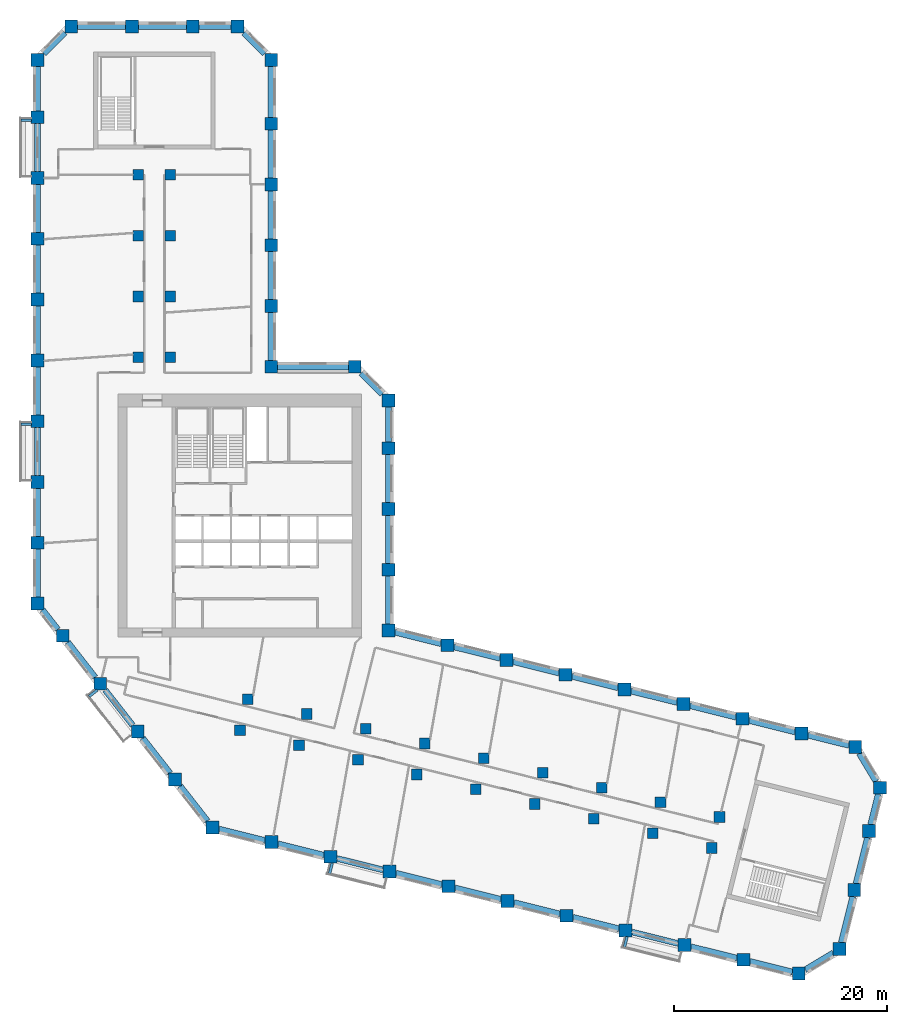
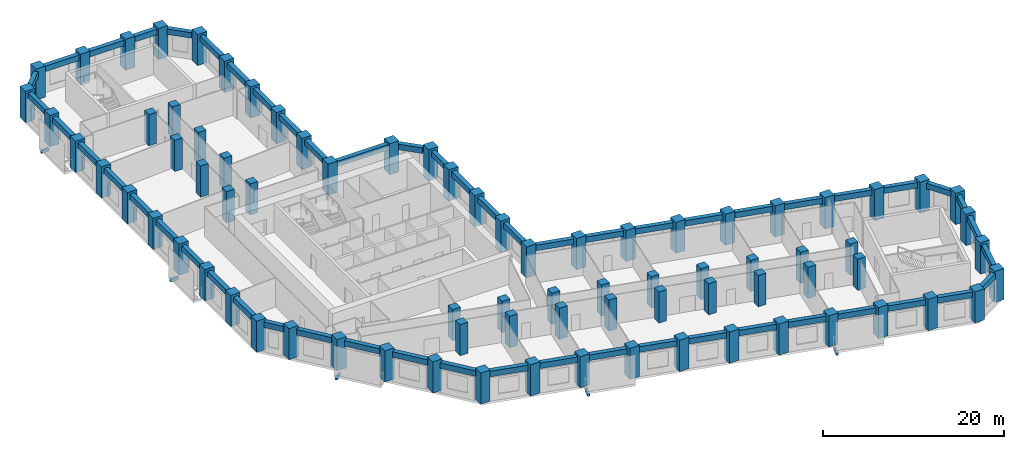
# One storey, part 1 of 10: 79 columns, 58 beams.
"""IFC4 building model written with IfcOpenShell, lengths in metres."""

from ifc_helpers import new_model, si_unit, direction, frame, origin, origin_2d, place, context, subcontext, project, spatial, rectangle, extrude, material, material_profile, profile_set, type_object, element, save


model = new_model("IFC4")

# Units and contexts
model_context = context("Model", 3, precision=1e-05, world=origin(), true_north=direction((0.0, 1.0)))
body_context = subcontext(model_context, "Body", "Model", "MODEL_VIEW")
ifc_project = project(units=[si_unit("LENGTHUNIT", "METRE"), si_unit("AREAUNIT", "SQUARE_METRE"), si_unit("VOLUMEUNIT", "CUBIC_METRE"), si_unit("PLANEANGLEUNIT", "RADIAN"), si_unit("MASSUNIT", "GRAM", prefix="KILO")], contexts=[model_context])

# Site, building, storey
site_placement = place(None, origin())
site = spatial("IfcSite", under=ifc_project, at=site_placement, CompositionType="ELEMENT")
building_placement = place(site_placement, origin())
building = spatial("IfcBuilding", under=site, at=building_placement, Name="Meshkara Civic Tower", CompositionType="ELEMENT")
storey_placement = place(building_placement, frame((0.0, 0.0, 207.60009765625)))
storey = spatial("IfcBuildingStorey", under=building, at=storey_placement, Name="L47", CompositionType="ELEMENT", Elevation=207.60009765625)

# Columns
ifc_material_1 = material(Name="Concrete C70", Category="concrete")
ifc_material_profile_1 = material_profile(ifc_material_1, rectangle(XDim=1.0, YDim=1.0, at=origin_2d()))
ifc_profile_set_1 = profile_set([ifc_material_profile_1], Name="Concrete C70")
column_type_1 = type_object("IfcColumnType", Name="Interior column RC 1000x1000 C70", PredefinedType="COLUMN", material=ifc_profile_set_1)
for number, where, z_axis, x_axis, name in (
    (1, (9.89990234375, 40.35009765625, 0.0), (0.0, 0.0, 1.0), (1.0, 0.0, 0.0), "Column SA1-04 L47"),
    (2, (9.89990234375, 46.050048828125, 0.0), (0.0, 0.0, 1.0), (1.0, 0.0, 0.0), "Column SA1-05 L47"),
    (3, (9.89990234375, 51.75, 0.0), (0.0, 0.0, 1.0), (1.0, 0.0, 0.0), "Column SA1-06 L47"),
    (4, (9.89990234375, 57.449951171875, 0.0), (0.0, 0.0, 1.0), (1.0, 0.0, 0.0), "Column SA1-07 L47"),
    (5, (12.89990234375, 40.35009765625, 0.0), (0.0, 0.0, 1.0), (1.0, 0.0, 0.0), "Column SA2-04 L47"),
    (6, (12.89990234375, 46.050048828125, 0.0), (0.0, 0.0, 1.0), (1.0, 0.0, 0.0), "Column SA2-05 L47"),
    (7, (12.89990234375, 51.75, 0.0), (0.0, 0.0, 1.0), (1.0, 0.0, 0.0), "Column SA2-06 L47"),
    (8, (12.89990234375, 57.449951171875, 0.0), (0.0, 0.0, 1.0), (1.0, 0.0, 0.0), "Column SA2-07 L47"),
    (9, (19.424072265625, 5.360107421875, 0.0), (0.0, 0.0, 1.0), (1.0, 0.0, 0.0), "Column SB1-00 L47"),
    (10, (24.9541015625, 3.98095703125, 0.0), (0.0, 0.0, 1.0), (1.0, 0.0, 0.0), "Column SB1-01 L47"),
    (11, (30.485107421875, 2.60205078125, 0.0), (0.0, 0.0, 1.0), (1.0, 0.0, 0.0), "Column SB1-02 L47"),
    (12, (36.01611328125, 1.222900390625, 0.0), (0.0, 0.0, 1.0), (1.0, 0.0, 0.0), "Column SB1-03 L47"),
    (13, (41.5458984375, -0.156005859375, 0.0), (0.0, 0.0, 1.0), (1.0, 0.0, 0.0), "Column SB1-04 L47"),
    (14, (47.076904296875, -1.534912109375, 0.0), (0.0, 0.0, 1.0), (1.0, 0.0, 0.0), "Column SB1-05 L47"),
    (15, (52.60791015625, -2.9140625, 0.0), (0.0, 0.0, 1.0), (1.0, 0.0, 0.0), "Column SB1-06 L47"),
    (16, (58.138916015625, -4.2919921875, 0.0), (0.0, 0.0, 1.0), (1.0, 0.0, 0.0), "Column SB1-07 L47"),
    (17, (63.6689453125, -5.6708984375, 0.0), (0.0, 0.0, 1.0), (1.0, 0.0, 0.0), "Column SB1-08 L47"),
    (18, (20.14892578125, 8.27099609375, 0.0), (0.0, 0.0, 1.0), (1.0, 0.0, 0.0), "Column SB2-00 L47"),
    (19, (25.679931640625, 6.89208984375, 0.0), (0.0, 0.0, 1.0), (1.0, 0.0, 0.0), "Column SB2-01 L47"),
    (20, (31.2109375, 5.512939453125, 0.0), (0.0, 0.0, 1.0), (1.0, 0.0, 0.0), "Column SB2-02 L47"),
    (21, (36.741943359375, 4.134033203125, 0.0), (0.0, 0.0, 1.0), (1.0, 0.0, 0.0), "Column SB2-03 L47"),
    (22, (42.27197265625, 2.7548828125, 0.0), (0.0, 0.0, 1.0), (1.0, 0.0, 0.0), "Column SB2-04 L47"),
    (23, (47.802978515625, 1.3759765625, 0.0), (0.0, 0.0, 1.0), (1.0, 0.0, 0.0), "Column SB2-05 L47"),
    (24, (53.333984375, -0.0029296875, 0.0), (0.0, 0.0, 1.0), (1.0, 0.0, 0.0), "Column SB2-06 L47"),
    (25, (58.864013671875, -1.382080078125, 0.0), (0.0, 0.0, 1.0), (1.0, 0.0, 0.0), "Column SB2-07 L47"),
    (26, (64.39501953125, -2.760986328125, 0.0), (0.0, 0.0, 1.0), (1.0, 0.0, 0.0), "Column SB2-08 L47"),
):
    element("IfcColumn", number, at=place(storey_placement, frame(where, z_axis=z_axis, x_axis=x_axis)), inside=storey, type_object=column_type_1, Name=name, PredefinedType="COLUMN", context=body_context, shape_type="SweptSolid", body=[
        extrude(rectangle(XDim=1.0, YDim=1.0, at=origin_2d()), origin(), (0.0, 0.0, 1.0), 4.199951171875),
    ])
ifc_material_2 = material(Name="Concrete C70", Category="concrete")
ifc_material_profile_2 = material_profile(ifc_material_2, rectangle(XDim=1.199951171875, YDim=1.199951171875, at=origin_2d()))
ifc_profile_set_2 = profile_set([ifc_material_profile_2], Name="Concrete C70")
column_type_2 = type_object("IfcColumnType", Name="Perimeter column RC 1200x1200 C70", PredefinedType="COLUMN", material=ifc_profile_set_2)
for number, where, z_axis, x_axis, name in (
    (27, (33.35009765625, 14.718994140625, 0.0), (0.0, 0.0, 1.0), (1.0, 0.0, 0.0), "Column HE00 L47"),
    (28, (33.35009765625, 20.4189453125, 0.0), (0.0, 0.0, 1.0), (1.0, 0.0, 0.0), "Column HE01 L47"),
    (29, (33.35009765625, 26.118896484375, 0.0), (0.0, 0.0, 1.0), (1.0, 0.0, 0.0), "Column HE02 L47"),
    (30, (33.35009765625, 31.819091796875, 0.0), (0.0, 0.0, 1.0), (1.0, 0.0, 0.0), "Column HE03 L47"),
    (31, (33.35009765625, 36.2939453125, 0.0), (0.0, 0.0, 1.0), (1.0, 0.0, 0.0), "Column HEE L47"),
    (32, (30.194091796875, 39.449951171875, 0.0), (0.0, 0.0, 1.0), (1.0, 0.0, 0.0), "Column HCeE L47"),
    (33, (22.35009765625, 39.449951171875, 0.0), (0.0, 0.0, 1.0), (1.0, 0.0, 0.0), "Column HN00 L47"),
    (34, (22.35009765625, 45.14990234375, 0.0), (0.0, 0.0, 1.0), (1.0, 0.0, 0.0), "Column AE01 L47"),
    (35, (22.35009765625, 50.85009765625, 0.0), (0.0, 0.0, 1.0), (1.0, 0.0, 0.0), "Column AE02 L47"),
    (36, (22.35009765625, 56.550048828125, 0.0), (0.0, 0.0, 1.0), (1.0, 0.0, 0.0), "Column AE03 L47"),
    (37, (22.35009765625, 62.25, 0.0), (0.0, 0.0, 1.0), (1.0, 0.0, 0.0), "Column AE04 L47"),
    (38, (22.35009765625, 68.214111328125, 0.0), (0.0, 0.0, 1.0), (1.0, 0.0, 0.0), "Column AEEP2 L47"),
    (39, (19.194091796875, 71.3701171875, 0.0), (0.0, 0.0, 1.0), (1.0, 0.0, 0.0), "Column ATiEP2 L47"),
    (40, (3.60595703125, 71.3701171875, 0.0), (0.0, 0.0, 1.0), (1.0, 0.0, 0.0), "Column AT00-P2 L47"),
    (41, (9.305908203125, 71.3701171875, 0.0), (0.0, 0.0, 1.0), (1.0, 0.0, 0.0), "Column AT01-P2 L47"),
    (42, (15.006103515625, 71.3701171875, 0.0), (0.0, 0.0, 1.0), (1.0, 0.0, 0.0), "Column AT02-P2 L47"),
    (43, (0.449951171875, 68.214111328125, 0.0), (0.0, 0.0, 1.0), (1.0, 0.0, 0.0), "Column ATo00-P2 L47"),
    (44, (0.449951171875, 17.2548828125, 0.0), (0.0, 0.0, 1.0), (1.0, 0.0, 0.0), "Column AW00 L47"),
    (45, (0.449951171875, 22.955078125, 0.0), (0.0, 0.0, 1.0), (1.0, 0.0, 0.0), "Column AW01 L47"),
    (46, (0.449951171875, 28.655029296875, 0.0), (0.0, 0.0, 1.0), (1.0, 0.0, 0.0), "Column AW02 L47"),
    (47, (0.449951171875, 34.35498046875, 0.0), (0.0, 0.0, 1.0), (1.0, 0.0, 0.0), "Column AW03 L47"),
    (48, (0.449951171875, 40.054931640625, 0.0), (0.0, 0.0, 1.0), (1.0, 0.0, 0.0), "Column AW04 L47"),
    (49, (0.449951171875, 45.7548828125, 0.0), (0.0, 0.0, 1.0), (1.0, 0.0, 0.0), "Column AW05 L47"),
    (50, (0.449951171875, 51.455078125, 0.0), (0.0, 0.0, 1.0), (1.0, 0.0, 0.0), "Column AW06 L47"),
    (51, (0.449951171875, 57.155029296875, 0.0), (0.0, 0.0, 1.0), (1.0, 0.0, 0.0), "Column AW07 L47"),
    (52, (0.449951171875, 62.85498046875, 0.0), (0.0, 0.0, 1.0), (1.0, 0.0, 0.0), "Column AW08 L47"),
    (53, (16.85107421875, -3.738037109375, 0.0), (0.0, 0.0, 1.0), (1.0, 0.0, 0.0), "Column BOW00 L47"),
    (54, (13.342041015625, 0.75390625, 0.0), (0.0, 0.0, 1.0), (1.0, 0.0, 0.0), "Column BOW01 L47"),
    (55, (9.8330078125, 5.2451171875, 0.0), (0.0, 0.0, 1.0), (1.0, 0.0, 0.0), "Column BOW02 L47"),
    (56, (6.322998046875, 9.737060546875, 0.0), (0.0, 0.0, 1.0), (1.0, 0.0, 0.0), "Column BOW03 L47"),
    (57, (2.81396484375, 14.22900390625, 0.0), (0.0, 0.0, 1.0), (1.0, 0.0, 0.0), "Column BOW04 L47"),
    (58, (22.382080078125, -5.116943359375, 0.0), (0.0, 0.0, 1.0), (1.0, 0.0, 0.0), "Column BS01 L47"),
    (59, (27.912109375, -6.49609375, 0.0), (0.0, 0.0, 1.0), (1.0, 0.0, 0.0), "Column BS02 L47"),
    (60, (33.443115234375, -7.875, 0.0), (0.0, 0.0, 1.0), (1.0, 0.0, 0.0), "Column BS03 L47"),
    (61, (38.97412109375, -9.2529296875, 0.0), (0.0, 0.0, 1.0), (1.0, 0.0, 0.0), "Column BS04-P1 L47"),
    (62, (44.5048828125, -10.632080078125, 0.0), (0.0, 0.0, 1.0), (1.0, 0.0, 0.0), "Column BS05 L47"),
    (63, (50.034912109375, -12.010986328125, 0.0), (0.0, 0.0, 1.0), (1.0, 0.0, 0.0), "Column BS06 L47"),
    (64, (55.56591796875, -13.389892578125, 0.0), (0.0, 0.0, 1.0), (1.0, 0.0, 0.0), "Column BS07 L47"),
    (65, (61.096923828125, -14.76904296875, 0.0), (0.0, 0.0, 1.0), (1.0, 0.0, 0.0), "Column BS08 L47"),
    (66, (66.626953125, -16.14794921875, 0.0), (0.0, 0.0, 1.0), (1.0, 0.0, 0.0), "Column BS09 L47"),
    (67, (71.826904296875, -17.444091796875, 0.0), (0.0, 0.0, 1.0), (1.0, 0.0, 0.0), "Column BSEP2 L47"),
    (68, (75.653076171875, -15.14501953125, 0.0), (0.0, 0.0, 1.0), (1.0, 0.0, 0.0), "Column BToEP2 L47"),
    (69, (77.031982421875, -9.614013671875, 0.0), (0.0, 0.0, 1.0), (1.0, 0.0, 0.0), "Column BT01-P2 L47"),
    (70, (78.410888671875, -4.083984375, 0.0), (0.0, 0.0, 1.0), (1.0, 0.0, 0.0), "Column BT02-P2 L47"),
    (71, (79.424072265625, -0.02099609375, 0.0), (0.0, 0.0, 1.0), (1.0, 0.0, 0.0), "Column BTEP2 L47"),
    (72, (77.125, 3.803955078125, 0.0), (0.0, 0.0, 1.0), (1.0, 0.0, 0.0), "Column BTi00-P2 L47"),
    (73, (38.881103515625, 13.340087890625, 0.0), (0.0, 0.0, 1.0), (1.0, 0.0, 0.0), "Column BN01 L47"),
    (74, (44.410888671875, 11.9609375, 0.0), (0.0, 0.0, 1.0), (1.0, 0.0, 0.0), "Column BN02 L47"),
    (75, (49.94189453125, 10.58203125, 0.0), (0.0, 0.0, 1.0), (1.0, 0.0, 0.0), "Column BN03 L47"),
    (76, (55.472900390625, 9.202880859375, 0.0), (0.0, 0.0, 1.0), (1.0, 0.0, 0.0), "Column BN04 L47"),
    (77, (61.0029296875, 7.823974609375, 0.0), (0.0, 0.0, 1.0), (1.0, 0.0, 0.0), "Column BN05 L47"),
    (78, (66.533935546875, 6.445068359375, 0.0), (0.0, 0.0, 1.0), (1.0, 0.0, 0.0), "Column BN06 L47"),
    (79, (72.06494140625, 5.06591796875, 0.0), (0.0, 0.0, 1.0), (1.0, 0.0, 0.0), "Column BN07 L47"),
):
    element("IfcColumn", number, at=place(storey_placement, frame(where, z_axis=z_axis, x_axis=x_axis)), inside=storey, type_object=column_type_2, Name=name, PredefinedType="COLUMN", context=body_context, shape_type="SweptSolid", body=[
        extrude(rectangle(XDim=1.199951171875, YDim=1.199951171875, at=origin_2d()), origin(), (0.0, 0.0, 1.0), 4.199951171875),
    ])

# Beams
ifc_material_3 = material(Name="Concrete C50", Category="concrete")
ifc_material_profile_3 = material_profile(ifc_material_3, rectangle(XDim=0.25, YDim=0.39990234375, at=origin_2d()))
ifc_profile_set_3 = profile_set([ifc_material_profile_3], Name="Concrete C50")
beam_type_1 = type_object("IfcBeamType", Name="Balcony bracket beam RC 250x400 C50", PredefinedType="BEAM", material=ifc_profile_set_3)
for number, where, z_axis, x_axis, name in (
    (80, (-0.14501953125, 62.554931640625, -0.5), (-1.0, 0.0, 0.0), (0.0, -1.0, 0.0), "Balcony bracket beam"),
    (81, (-0.14501953125, 34.054931640625, -0.5), (-1.0, 0.0, 0.0), (0.0, -1.0, 0.0), "Balcony bracket beam"),
):
    element("IfcBeam", number, at=place(storey_placement, frame(where, z_axis=z_axis, x_axis=x_axis)), inside=storey, type_object=beam_type_1, Name=name, PredefinedType="BEAM", context=body_context, shape_type="SweptSolid", body=[
        extrude(rectangle(XDim=0.25, YDim=0.39990234375, at=origin_2d()), origin(), (0.0, 0.0, 1.0), 0.955078125),
    ])
beam_1_placement = place(storey_placement, frame((6.0458984375, 9.139892578125, -0.5), z_axis=(-0.788039749588, -0.61562436036, 0.0), x_axis=(0.61562436036, -0.788039749588, 0.0)))
element("IfcBeam", 82, at=beam_1_placement, inside=storey, type_object=beam_type_1, Name="Balcony bracket beam", PredefinedType="BEAM", context=body_context, shape_type="SweptSolid", body=[
    extrude(rectangle(XDim=0.25, YDim=0.39990234375, at=origin_2d()), origin(), (0.0, 0.0, 1.0), 0.962890625),
])
beam_2_placement = place(storey_placement, frame((28.072998046875, -7.091064453125, -0.5), z_axis=(-0.242421996939, -0.9701709001, 0.0), x_axis=(0.9701709001, -0.242421996939, 0.0)))
element("IfcBeam", 83, at=beam_2_placement, inside=storey, type_object=beam_type_1, Name="Balcony bracket beam", PredefinedType="BEAM", context=body_context, shape_type="SweptSolid", body=[
    extrude(rectangle(XDim=0.25, YDim=0.39990234375, at=origin_2d()), origin(), (0.0, 0.0, 1.0), 1.01123046875),
])
beam_3_placement = place(storey_placement, frame((55.72705078125, -13.985107421875, -0.5), z_axis=(-0.24219504991, -0.970227580416, 0.0), x_axis=(0.970227580416, -0.24219504991, 0.0)))
element("IfcBeam", 84, at=beam_3_placement, inside=storey, type_object=beam_type_1, Name="Balcony bracket beam", PredefinedType="BEAM", context=body_context, shape_type="SweptSolid", body=[
    extrude(rectangle(XDim=0.25, YDim=0.39990234375, at=origin_2d()), origin(), (0.0, 0.0, 1.0), 1.011962890625),
])
ifc_material_4 = material(Name="Concrete C60", Category="concrete")
ifc_material_profile_4 = material_profile(ifc_material_4, rectangle(XDim=0.550048828125, YDim=0.75, at=origin_2d()))
ifc_profile_set_4 = profile_set([ifc_material_profile_4], Name="Concrete C60")
beam_type_2 = type_object("IfcBeamType", Name="Spandrel beam RC 550x750 C60", PredefinedType="BEAM", material=ifc_profile_set_4)
for number, where, z_axis, x_axis, name in (
    (85, (71.469970703125, 5.21435546875, 3.52490234375), (-0.970296390995, 0.241919229543, 0.0), (-0.241919229543, -0.970296390995, 0.0), "Spandrel beam BN06-BN07"),
    (86, (65.93896484375, 6.593505859375, 3.52490234375), (-0.970309199754, 0.241867850018, 0.0), (-0.241867850018, -0.970309199754, 0.0), "Spandrel beam BN05-BN06"),
):
    element("IfcBeam", number, at=place(storey_placement, frame(where, z_axis=z_axis, x_axis=x_axis)), inside=storey, type_object=beam_type_2, Name=name, PredefinedType="BEAM", context=body_context, shape_type="SweptSolid", body=[
        extrude(rectangle(XDim=0.550048828125, YDim=0.75, at=origin_2d()), origin(), (0.0, 0.0, 1.0), 4.4736328125),
    ])
beam_4_placement = place(storey_placement, frame((60.407958984375, 7.972412109375, 3.52490234375), z_axis=(-0.970283611566, 0.241970479865, 0.0), x_axis=(-0.241970479865, -0.970283611566, 0.0)))
element("IfcBeam", 87, at=beam_4_placement, inside=storey, type_object=beam_type_2, Name="Spandrel beam BN04-BN05", PredefinedType="BEAM", context=body_context, shape_type="SweptSolid", body=[
    extrude(rectangle(XDim=0.550048828125, YDim=0.75, at=origin_2d()), origin(), (0.0, 0.0, 1.0), 4.47265625),
])
for number, where, z_axis, x_axis, name in (
    (88, (54.8779296875, 9.351318359375, 3.52490234375), (-0.970296390995, 0.241919229543, 0.0), (-0.241919229543, -0.970296390995, 0.0), "Spandrel beam BN03-BN04"),
    (89, (49.346923828125, 10.73046875, 3.52490234375), (-0.970309199754, 0.241867850018, 0.0), (-0.241867850018, -0.970309199754, 0.0), "Spandrel beam BN02-BN03"),
):
    element("IfcBeam", number, at=place(storey_placement, frame(where, z_axis=z_axis, x_axis=x_axis)), inside=storey, type_object=beam_type_2, Name=name, PredefinedType="BEAM", context=body_context, shape_type="SweptSolid", body=[
        extrude(rectangle(XDim=0.550048828125, YDim=0.75, at=origin_2d()), origin(), (0.0, 0.0, 1.0), 4.4736328125),
    ])
beam_5_placement = place(storey_placement, frame((43.81591796875, 12.109375, 3.52490234375), z_axis=(-0.970283611566, 0.241970479865, 0.0), x_axis=(-0.241970479865, -0.970283611566, 0.0)))
element("IfcBeam", 90, at=beam_5_placement, inside=storey, type_object=beam_type_2, Name="Spandrel beam BN01-BN02", PredefinedType="BEAM", context=body_context, shape_type="SweptSolid", body=[
    extrude(rectangle(XDim=0.550048828125, YDim=0.75, at=origin_2d()), origin(), (0.0, 0.0, 1.0), 4.47265625),
])
beam_6_placement = place(storey_placement, frame((38.285888671875, 13.48828125, 3.52490234375), z_axis=(-0.970296390995, 0.241919229543, 0.0), x_axis=(-0.241919229543, -0.970296390995, 0.0)))
element("IfcBeam", 91, at=beam_6_placement, inside=storey, type_object=beam_type_2, Name="Spandrel beam BN01-HE00", PredefinedType="BEAM", context=body_context, shape_type="SweptSolid", body=[
    extrude(rectangle(XDim=0.550048828125, YDim=0.75, at=origin_2d()), origin(), (0.0, 0.0, 1.0), 4.4736328125),
])
for number, where, z_axis, x_axis, name in (
    (92, (33.35009765625, 15.31396484375, 3.52490234375), (0.0, 1.0, 0.0), (-1.0, 0.0, 0.0), "Spandrel beam HE00-HE01"),
    (93, (33.35009765625, 21.013916015625, 3.52490234375), (0.0, 1.0, 0.0), (-1.0, 0.0, 0.0), "Spandrel beam HE01-HE02"),
    (94, (33.35009765625, 26.714111328125, 3.52490234375), (0.0, 1.0, 0.0), (-1.0, 0.0, 0.0), "Spandrel beam HE02-HE03"),
):
    element("IfcBeam", number, at=place(storey_placement, frame(where, z_axis=z_axis, x_axis=x_axis)), inside=storey, type_object=beam_type_2, Name=name, PredefinedType="BEAM", context=body_context, shape_type="SweptSolid", body=[
        extrude(rectangle(XDim=0.550048828125, YDim=0.75, at=origin_2d()), origin(), (0.0, 0.0, 1.0), 4.510009765625),
    ])
beam_7_placement = place(storey_placement, frame((33.35009765625, 32.4140625, 3.52490234375), z_axis=(0.0, 1.0, 0.0), x_axis=(-1.0, 0.0, 0.0)))
element("IfcBeam", 95, at=beam_7_placement, inside=storey, type_object=beam_type_2, Name="Spandrel beam HE03-HEE", PredefinedType="BEAM", context=body_context, shape_type="SweptSolid", body=[
    extrude(rectangle(XDim=0.550048828125, YDim=0.75, at=origin_2d()), origin(), (0.0, 0.0, 1.0), 3.284912109375),
])
beam_8_placement = place(storey_placement, frame((32.75341796875, 36.890380859375, 3.52490234375), z_axis=(-0.707062808252, 0.707150751387, 0.0), x_axis=(-0.707150751387, -0.707062808252, 0.0)))
element("IfcBeam", 96, at=beam_8_placement, inside=storey, type_object=beam_type_2, Name="Spandrel beam HCeE-HEE", PredefinedType="BEAM", context=body_context, shape_type="SweptSolid", body=[
    extrude(rectangle(XDim=0.550048828125, YDim=0.75, at=origin_2d()), origin(), (0.0, 0.0, 1.0), 2.776123046875),
])
beam_9_placement = place(storey_placement, frame((29.59912109375, 39.449951171875, 3.52490234375), z_axis=(-1.0, 0.0, 0.0), x_axis=(0.0, -1.0, 0.0)))
element("IfcBeam", 97, at=beam_9_placement, inside=storey, type_object=beam_type_2, Name="Spandrel beam HCeE-HN00", PredefinedType="BEAM", context=body_context, shape_type="SweptSolid", body=[
    extrude(rectangle(XDim=0.550048828125, YDim=0.75, at=origin_2d()), origin(), (0.0, 0.0, 1.0), 6.654052734375),
])
beam_10_placement = place(storey_placement, frame((22.35009765625, 40.044921875, 3.52490234375), z_axis=(0.0, 1.0, 0.0), x_axis=(-1.0, 0.0, 0.0)))
element("IfcBeam", 98, at=beam_10_placement, inside=storey, type_object=beam_type_2, Name="Spandrel beam AE01-HN00", PredefinedType="BEAM", context=body_context, shape_type="SweptSolid", body=[
    extrude(rectangle(XDim=0.550048828125, YDim=0.75, at=origin_2d()), origin(), (0.0, 0.0, 1.0), 4.510009765625),
])
beam_11_placement = place(storey_placement, frame((22.35009765625, 45.7451171875, 3.52490234375), z_axis=(0.0, 1.0, 0.0), x_axis=(-1.0, 0.0, 0.0)))
element("IfcBeam", 99, at=beam_11_placement, inside=storey, type_object=beam_type_2, Name="Spandrel beam AE01-AE02", PredefinedType="BEAM", context=body_context, shape_type="SweptSolid", body=[
    extrude(rectangle(XDim=0.550048828125, YDim=0.75, at=origin_2d()), origin(), (0.0, 0.0, 1.0), 4.509765625),
])
for number, where, z_axis, x_axis, name in (
    (100, (22.35009765625, 51.445068359375, 3.52490234375), (0.0, 1.0, 0.0), (-1.0, 0.0, 0.0), "Spandrel beam AE02-AE03"),
    (101, (22.35009765625, 57.14501953125, 3.52490234375), (0.0, 1.0, 0.0), (-1.0, 0.0, 0.0), "Spandrel beam AE03-AE04"),
):
    element("IfcBeam", number, at=place(storey_placement, frame(where, z_axis=z_axis, x_axis=x_axis)), inside=storey, type_object=beam_type_2, Name=name, PredefinedType="BEAM", context=body_context, shape_type="SweptSolid", body=[
        extrude(rectangle(XDim=0.550048828125, YDim=0.75, at=origin_2d()), origin(), (0.0, 0.0, 1.0), 4.510009765625),
    ])
beam_12_placement = place(storey_placement, frame((22.35009765625, 62.844970703125, 3.52490234375), z_axis=(0.0, 1.0, 0.0), x_axis=(-1.0, 0.0, 0.0)))
element("IfcBeam", 102, at=beam_12_placement, inside=storey, type_object=beam_type_2, Name="Spandrel beam AE04-AEEP2", PredefinedType="BEAM", context=body_context, shape_type="SweptSolid", body=[
    extrude(rectangle(XDim=0.550048828125, YDim=0.75, at=origin_2d()), origin(), (0.0, 0.0, 1.0), 4.77392578125),
])
beam_13_placement = place(storey_placement, frame((21.75341796875, 68.810546875, 3.52490234375), z_axis=(-0.707106781187, 0.707106781187, 0.0), x_axis=(-0.707106781187, -0.707106781187, 0.0)))
element("IfcBeam", 103, at=beam_13_placement, inside=storey, type_object=beam_type_2, Name="Spandrel beam AEEP2-ATiEP2", PredefinedType="BEAM", context=body_context, shape_type="SweptSolid", body=[
    extrude(rectangle(XDim=0.550048828125, YDim=0.75, at=origin_2d()), origin(), (0.0, 0.0, 1.0), 2.77587890625),
])
beam_14_placement = place(storey_placement, frame((18.59912109375, 71.3701171875, 3.52490234375), z_axis=(-1.0, 0.0, 0.0), x_axis=(0.0, -1.0, 0.0)))
element("IfcBeam", 104, at=beam_14_placement, inside=storey, type_object=beam_type_2, Name="Spandrel beam AT02-P2-ATiEP2", PredefinedType="BEAM", context=body_context, shape_type="SweptSolid", body=[
    extrude(rectangle(XDim=0.550048828125, YDim=0.75, at=origin_2d()), origin(), (0.0, 0.0, 1.0), 2.998046875),
])
for number, where, z_axis, x_axis, name in (
    (105, (14.410888671875, 71.3701171875, 3.52490234375), (-1.0, 0.0, 0.0), (0.0, -1.0, 0.0), "Spandrel beam AT01-P2-AT02-P2"),
    (106, (8.7109375, 71.3701171875, 3.52490234375), (-1.0, 0.0, 0.0), (0.0, -1.0, 0.0), "Spandrel beam AT00-P2-AT01-P2"),
):
    element("IfcBeam", number, at=place(storey_placement, frame(where, z_axis=z_axis, x_axis=x_axis)), inside=storey, type_object=beam_type_2, Name=name, PredefinedType="BEAM", context=body_context, shape_type="SweptSolid", body=[
        extrude(rectangle(XDim=0.550048828125, YDim=0.75, at=origin_2d()), origin(), (0.0, 0.0, 1.0), 4.510009765625),
    ])
beam_15_placement = place(storey_placement, frame((3.009521484375, 70.7734375, 3.52490234375), z_axis=(-0.707150751387, -0.707062808252, 0.0), x_axis=(0.707062808252, -0.707150751387, 0.0)))
element("IfcBeam", 107, at=beam_15_placement, inside=storey, type_object=beam_type_2, Name="Spandrel beam AT00-P2-ATo00-P2", PredefinedType="BEAM", context=body_context, shape_type="SweptSolid", body=[
    extrude(rectangle(XDim=0.550048828125, YDim=0.75, at=origin_2d()), origin(), (0.0, 0.0, 1.0), 2.776123046875),
])
beam_16_placement = place(storey_placement, frame((0.449951171875, 67.618896484375, 3.52490234375), z_axis=(0.0, -1.0, 0.0), x_axis=(1.0, 0.0, 0.0)))
element("IfcBeam", 108, at=beam_16_placement, inside=storey, type_object=beam_type_2, Name="Spandrel beam ATo00-P2-AW08", PredefinedType="BEAM", context=body_context, shape_type="SweptSolid", body=[
    extrude(rectangle(XDim=0.550048828125, YDim=0.75, at=origin_2d()), origin(), (0.0, 0.0, 1.0), 4.1689453125),
])
for number, where, z_axis, x_axis, name in (
    (109, (0.449951171875, 62.260009765625, 3.52490234375), (0.0, -1.0, 0.0), (1.0, 0.0, 0.0), "Spandrel beam AW07-AW08"),
    (110, (0.449951171875, 56.56005859375, 3.52490234375), (0.0, -1.0, 0.0), (1.0, 0.0, 0.0), "Spandrel beam AW06-AW07"),
    (111, (0.449951171875, 50.860107421875, 3.52490234375), (0.0, -1.0, 0.0), (1.0, 0.0, 0.0), "Spandrel beam AW05-AW06"),
    (112, (0.449951171875, 45.159912109375, 3.52490234375), (0.0, -1.0, 0.0), (1.0, 0.0, 0.0), "Spandrel beam AW04-AW05"),
    (113, (0.449951171875, 39.4599609375, 3.52490234375), (0.0, -1.0, 0.0), (1.0, 0.0, 0.0), "Spandrel beam AW03-AW04"),
    (114, (0.449951171875, 33.760009765625, 3.52490234375), (0.0, -1.0, 0.0), (1.0, 0.0, 0.0), "Spandrel beam AW02-AW03"),
    (115, (0.449951171875, 28.06005859375, 3.52490234375), (0.0, -1.0, 0.0), (1.0, 0.0, 0.0), "Spandrel beam AW01-AW02"),
    (116, (0.449951171875, 22.360107421875, 3.52490234375), (0.0, -1.0, 0.0), (1.0, 0.0, 0.0), "Spandrel beam AW00-AW01"),
):
    element("IfcBeam", number, at=place(storey_placement, frame(where, z_axis=z_axis, x_axis=x_axis)), inside=storey, type_object=beam_type_2, Name=name, PredefinedType="BEAM", context=body_context, shape_type="SweptSolid", body=[
        extrude(rectangle(XDim=0.550048828125, YDim=0.75, at=origin_2d()), origin(), (0.0, 0.0, 1.0), 4.510009765625),
    ])
beam_17_placement = place(storey_placement, frame((0.915771484375, 16.658935546875, 3.52490234375), z_axis=(0.615646077935, -0.788022783124, 0.0), x_axis=(0.788022783124, 0.615646077935, 0.0)))
element("IfcBeam", 117, at=beam_17_placement, inside=storey, type_object=beam_type_2, Name="Spandrel beam AW00-BOW04", PredefinedType="BEAM", context=body_context, shape_type="SweptSolid", body=[
    extrude(rectangle(XDim=0.550048828125, YDim=0.75, at=origin_2d()), origin(), (0.0, 0.0, 1.0), 2.326904296875),
])
beam_18_placement = place(storey_placement, frame((3.279541015625, 13.6328125, 3.52490234375), z_axis=(0.615630464754, -0.788034980738, 0.0), x_axis=(0.788034980738, 0.615630464754, 0.0)))
element("IfcBeam", 118, at=beam_18_placement, inside=storey, type_object=beam_type_2, Name="Spandrel beam BOW03-BOW04", PredefinedType="BEAM", context=body_context, shape_type="SweptSolid", body=[
    extrude(rectangle(XDim=0.550048828125, YDim=0.75, at=origin_2d()), origin(), (0.0, 0.0, 1.0), 4.1875),
])
beam_19_placement = place(storey_placement, frame((6.788818359375, 9.140869140625, 3.52490234375), z_axis=(0.61570287025, -0.787978410596, 0.0), x_axis=(0.787978410596, 0.61570287025, 0.0)))
element("IfcBeam", 119, at=beam_19_placement, inside=storey, type_object=beam_type_2, Name="Spandrel beam BOW02-BOW03", PredefinedType="BEAM", context=body_context, shape_type="SweptSolid", body=[
    extrude(rectangle(XDim=0.550048828125, YDim=0.75, at=origin_2d()), origin(), (0.0, 0.0, 1.0), 4.187744140625),
])
beam_20_placement = place(storey_placement, frame((10.298583984375, 4.64892578125, 3.52490234375), z_axis=(0.615707413829, -0.787974860358, 0.0), x_axis=(0.787974860358, 0.615707413829, 0.0)))
element("IfcBeam", 120, at=beam_20_placement, inside=storey, type_object=beam_type_2, Name="Spandrel beam BOW01-BOW02", PredefinedType="BEAM", context=body_context, shape_type="SweptSolid", body=[
    extrude(rectangle(XDim=0.550048828125, YDim=0.75, at=origin_2d()), origin(), (0.0, 0.0, 1.0), 4.1865234375),
])
beam_21_placement = place(storey_placement, frame((13.8076171875, 0.157958984375, 3.52490234375), z_axis=(0.615630464754, -0.788034980738, 0.0), x_axis=(0.788034980738, 0.615630464754, 0.0)))
element("IfcBeam", 121, at=beam_21_placement, inside=storey, type_object=beam_type_2, Name="Spandrel beam BOW00-BOW01", PredefinedType="BEAM", context=body_context, shape_type="SweptSolid", body=[
    extrude(rectangle(XDim=0.550048828125, YDim=0.75, at=origin_2d()), origin(), (0.0, 0.0, 1.0), 4.1875),
])
beam_22_placement = place(storey_placement, frame((17.446044921875, -3.886474609375, 3.52490234375), z_axis=(0.970309199754, -0.241867850018, 0.0), x_axis=(0.241867850018, 0.970309199754, 0.0)))
element("IfcBeam", 122, at=beam_22_placement, inside=storey, type_object=beam_type_2, Name="Spandrel beam BOW00-BS01", PredefinedType="BEAM", context=body_context, shape_type="SweptSolid", body=[
    extrude(rectangle(XDim=0.550048828125, YDim=0.75, at=origin_2d()), origin(), (0.0, 0.0, 1.0), 4.4736328125),
])
beam_23_placement = place(storey_placement, frame((22.97705078125, -5.265380859375, 3.52490234375), z_axis=(0.970283611566, -0.241970479865, 0.0), x_axis=(0.241970479865, 0.970283611566, 0.0)))
element("IfcBeam", 123, at=beam_23_placement, inside=storey, type_object=beam_type_2, Name="Spandrel beam BS01-BS02", PredefinedType="BEAM", context=body_context, shape_type="SweptSolid", body=[
    extrude(rectangle(XDim=0.550048828125, YDim=0.75, at=origin_2d()), origin(), (0.0, 0.0, 1.0), 4.47265625),
])
for number, where, z_axis, x_axis, name in (
    (124, (28.507080078125, -6.644287109375, 3.52490234375), (0.970296390995, -0.241919229543, 0.0), (0.241919229543, 0.970296390995, 0.0), "Spandrel beam BS02-BS03"),
    (125, (34.0380859375, -8.023193359375, 3.52490234375), (0.970334810126, -0.241765084863, 0.0), (0.241765084863, 0.970334810126, 0.0), "Spandrel beam BS03-BS04-P1"),
    (126, (39.569091796875, -9.4013671875, 3.52490234375), (0.970296390995, -0.241919229543, 0.0), (0.241919229543, 0.970296390995, 0.0), "Spandrel beam BS04-P1-BS05"),
):
    element("IfcBeam", number, at=place(storey_placement, frame(where, z_axis=z_axis, x_axis=x_axis)), inside=storey, type_object=beam_type_2, Name=name, PredefinedType="BEAM", context=body_context, shape_type="SweptSolid", body=[
        extrude(rectangle(XDim=0.550048828125, YDim=0.75, at=origin_2d()), origin(), (0.0, 0.0, 1.0), 4.4736328125),
    ])
beam_24_placement = place(storey_placement, frame((45.10009765625, -10.780517578125, 3.52490234375), z_axis=(0.970296425585, -0.241919090807, 0.0), x_axis=(0.241919090807, 0.970296425585, 0.0)))
element("IfcBeam", 127, at=beam_24_placement, inside=storey, type_object=beam_type_2, Name="Spandrel beam BS05-BS06", PredefinedType="BEAM", context=body_context, shape_type="SweptSolid", body=[
    extrude(rectangle(XDim=0.550048828125, YDim=0.75, at=origin_2d()), origin(), (0.0, 0.0, 1.0), 4.47265625),
])
for number, where, z_axis, x_axis, name in (
    (128, (50.630126953125, -12.159423828125, 3.52490234375), (0.970296390995, -0.241919229543, 0.0), (0.241919229543, 0.970296390995, 0.0), "Spandrel beam BS06-BS07"),
    (129, (56.1611328125, -13.538330078125, 3.52490234375), (0.970296390995, -0.241919229543, 0.0), (0.241919229543, 0.970296390995, 0.0), "Spandrel beam BS07-BS08"),
):
    element("IfcBeam", number, at=place(storey_placement, frame(where, z_axis=z_axis, x_axis=x_axis)), inside=storey, type_object=beam_type_2, Name=name, PredefinedType="BEAM", context=body_context, shape_type="SweptSolid", body=[
        extrude(rectangle(XDim=0.550048828125, YDim=0.75, at=origin_2d()), origin(), (0.0, 0.0, 1.0), 4.4736328125),
    ])
beam_25_placement = place(storey_placement, frame((61.692138671875, -14.91748046875, 3.52490234375), z_axis=(0.970296425585, -0.241919090807, 0.0), x_axis=(0.241919090807, 0.970296425585, 0.0)))
element("IfcBeam", 130, at=beam_25_placement, inside=storey, type_object=beam_type_2, Name="Spandrel beam BS08-BS09", PredefinedType="BEAM", context=body_context, shape_type="SweptSolid", body=[
    extrude(rectangle(XDim=0.550048828125, YDim=0.75, at=origin_2d()), origin(), (0.0, 0.0, 1.0), 4.47265625),
])
beam_26_placement = place(storey_placement, frame((67.22216796875, -16.29638671875, 3.52490234375), z_axis=(0.970322944839, -0.241812701731, 0.0), x_axis=(0.241812701731, 0.970322944839, 0.0)))
element("IfcBeam", 131, at=beam_26_placement, inside=storey, type_object=beam_type_2, Name="Spandrel beam BS09-BSEP2", PredefinedType="BEAM", context=body_context, shape_type="SweptSolid", body=[
    extrude(rectangle(XDim=0.550048828125, YDim=0.75, at=origin_2d()), origin(), (0.0, 0.0, 1.0), 4.13232421875),
])
beam_27_placement = place(storey_placement, frame((72.422607421875, -17.0859375, 3.52490234375), z_axis=(0.85718440509, 0.515009607358, 0.0), x_axis=(-0.515009607358, 0.85718440509, 0.0)))
element("IfcBeam", 132, at=beam_27_placement, inside=storey, type_object=beam_type_2, Name="Spandrel beam BSEP2-BToEP2", PredefinedType="BEAM", context=body_context, shape_type="SweptSolid", body=[
    extrude(rectangle(XDim=0.550048828125, YDim=0.75, at=origin_2d()), origin(), (0.0, 0.0, 1.0), 3.07373046875),
])
beam_28_placement = place(storey_placement, frame((75.801513671875, -14.5498046875, 3.52490234375), z_axis=(0.241867850018, 0.970309199754, 0.0), x_axis=(-0.970309199754, 0.241867850018, 0.0)))
element("IfcBeam", 133, at=beam_28_placement, inside=storey, type_object=beam_type_2, Name="Spandrel beam BT01-P2-BToEP2", PredefinedType="BEAM", context=body_context, shape_type="SweptSolid", body=[
    extrude(rectangle(XDim=0.550048828125, YDim=0.75, at=origin_2d()), origin(), (0.0, 0.0, 1.0), 4.4736328125),
])
beam_29_placement = place(storey_placement, frame((77.180419921875, -9.018798828125, 3.52490234375), z_axis=(0.241983295733, 0.97028041544, 0.0), x_axis=(-0.97028041544, 0.241983295733, 0.0)))
element("IfcBeam", 134, at=beam_29_placement, inside=storey, type_object=beam_type_2, Name="Spandrel beam BT01-P2-BT02-P2", PredefinedType="BEAM", context=body_context, shape_type="SweptSolid", body=[
    extrude(rectangle(XDim=0.550048828125, YDim=0.75, at=origin_2d()), origin(), (0.0, 0.0, 1.0), 4.472412109375),
])
beam_30_placement = place(storey_placement, frame((78.559326171875, -3.489013671875, 3.52490234375), z_axis=(0.241934114249, 0.970292679743, 0.0), x_axis=(-0.970292679743, 0.241934114249, 0.0)))
element("IfcBeam", 135, at=beam_30_placement, inside=storey, type_object=beam_type_2, Name="Spandrel beam BT02-P2-BTEP2", PredefinedType="BEAM", context=body_context, shape_type="SweptSolid", body=[
    extrude(rectangle(XDim=0.550048828125, YDim=0.75, at=origin_2d()), origin(), (0.0, 0.0, 1.0), 2.960693359375),
])
beam_31_placement = place(storey_placement, frame((79.06591796875, 0.57470703125, 3.52490234375), z_axis=(-0.515126606613, 0.857114099265, 0.0), x_axis=(-0.857114099265, -0.515126606613, 0.0)))
element("IfcBeam", 136, at=beam_31_placement, inside=storey, type_object=beam_type_2, Name="Spandrel beam BTEP2-BTi00-P2", PredefinedType="BEAM", context=body_context, shape_type="SweptSolid", body=[
    extrude(rectangle(XDim=0.550048828125, YDim=0.75, at=origin_2d()), origin(), (0.0, 0.0, 1.0), 3.072509765625),
])
beam_32_placement = place(storey_placement, frame((76.52978515625, 3.952392578125, 3.52490234375), z_axis=(-0.970279182293, 0.241988240227, 0.0), x_axis=(-0.241988240227, -0.970279182293, 0.0)))
element("IfcBeam", 137, at=beam_32_placement, inside=storey, type_object=beam_type_2, Name="Spandrel beam BN07-BTi00-P2", PredefinedType="BEAM", context=body_context, shape_type="SweptSolid", body=[
    extrude(rectangle(XDim=0.550048828125, YDim=0.75, at=origin_2d()), origin(), (0.0, 0.0, 1.0), 3.98828125),
])

save(model, "model.ifc")
